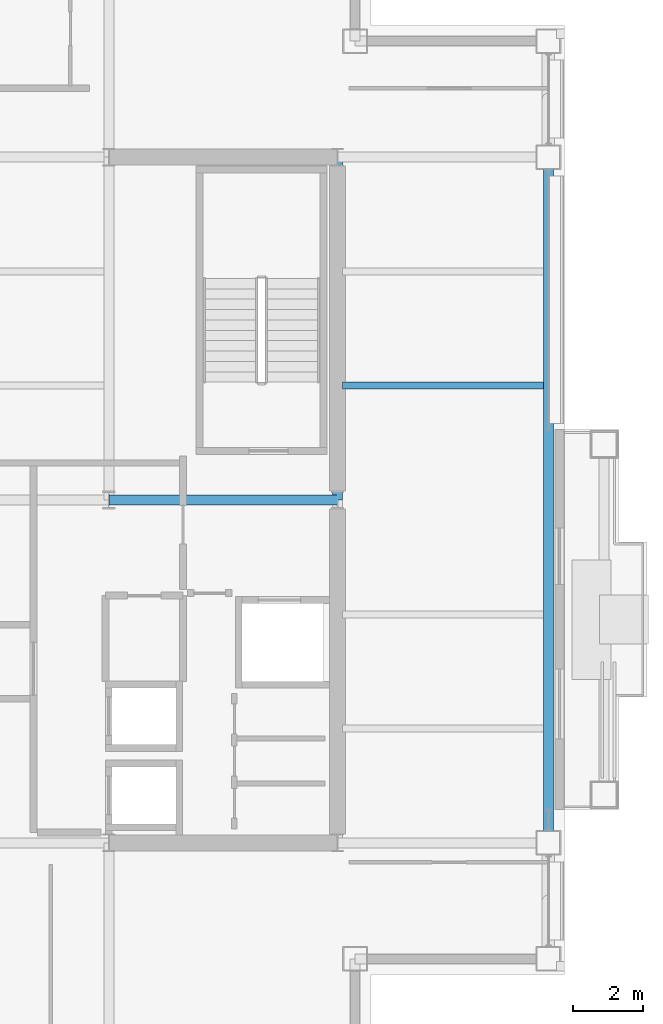
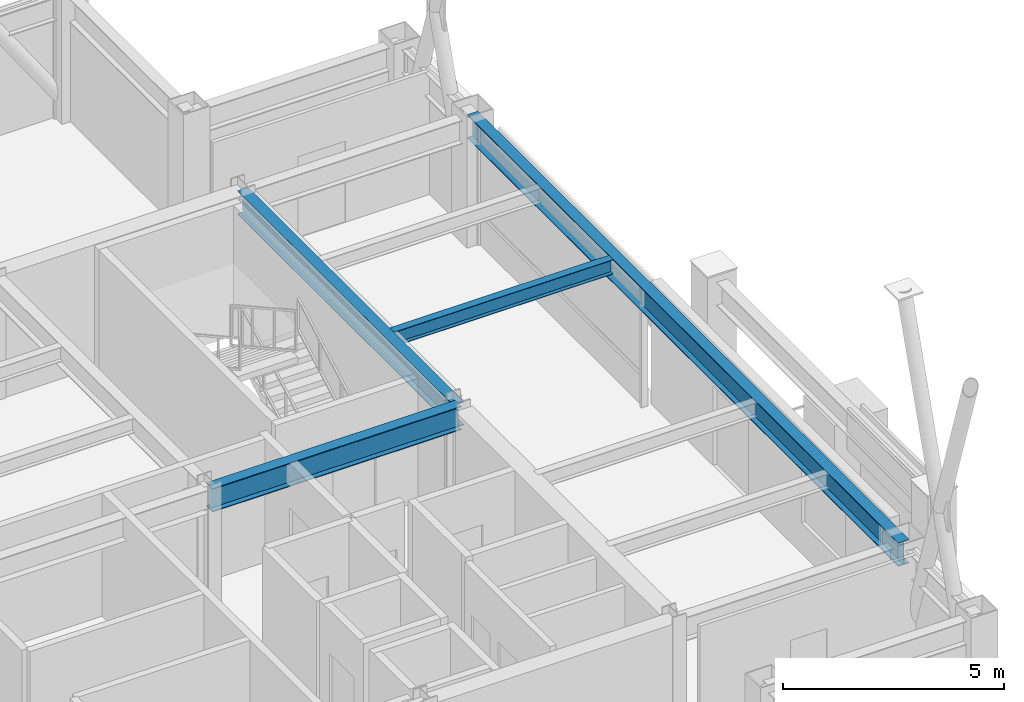
# One storey, part 17 of 33: 4 beams.
"""IFC4 building model written with IfcOpenShell, lengths in metres."""

from ifc_helpers import new_model, si_unit, direction, frame, origin, origin_2d, place, context, subcontext, project, spatial, i_section, extrude, material, material_profile, profile_set, type_object, element, save


model = new_model("IFC4")

# Units and contexts
model_context = context("Model", 3, precision=1e-05, world=origin(), true_north=direction((0.0, 1.0)))
body_context = subcontext(model_context, "Body", "Model", "MODEL_VIEW")
ifc_project = project(units=[si_unit("LENGTHUNIT", "METRE"), si_unit("AREAUNIT", "SQUARE_METRE"), si_unit("VOLUMEUNIT", "CUBIC_METRE"), si_unit("PLANEANGLEUNIT", "RADIAN"), si_unit("MASSUNIT", "GRAM", prefix="KILO")], contexts=[model_context])

# Site, building, storey
site_placement = place(None, origin())
site = spatial("IfcSite", under=ifc_project, at=site_placement, CompositionType="ELEMENT")
building_placement = place(site_placement, origin())
building = spatial("IfcBuilding", under=site, at=building_placement, Name="Brelmoor Portico Tower", CompositionType="ELEMENT")
storey_placement = place(building_placement, frame((0.0, 0.0, 183.89990234375)))
storey = spatial("IfcBuildingStorey", under=building, at=storey_placement, Name="L48", CompositionType="ELEMENT", Elevation=183.89990234375)

# Beams
ifc_material = material(Name="Steel Q355B", Category="steel")
ifc_material_profile_1 = material_profile(ifc_material, i_section(OverallWidth=0.199951171875, OverallDepth=0.39990234375, WebThickness=0.008056640625, FlangeThickness=0.012939453125, at=origin_2d()), Name="HN 400x200x8x13")
ifc_profile_set_1 = profile_set([ifc_material_profile_1], Name="Steel Q355B")
beam_type_1 = type_object("IfcBeamType", Name="BM-JS-400", PredefinedType="JOIST", material=ifc_profile_set_1)
beam_1_placement = place(storey_placement, frame((14.68994140625, 3.25, 3.2001953125), z_axis=(1.0, 0.0, 0.0), x_axis=(0.0, 1.0, 0.0)))
element("IfcBeam", 1, at=beam_1_placement, inside=storey, type_object=beam_type_1, Name="L48 Secondary Wing Joist JS-E11", PredefinedType="JOIST", context=body_context, shape_type="SweptSolid", body=[
    extrude(i_section(OverallWidth=0.199951171875, OverallDepth=0.39990234375, WebThickness=0.008056640625, FlangeThickness=0.012939453125, at=origin_2d()), origin(), (0.0, 0.0, 1.0), 5.719970703125),
])
ifc_material_profile_2 = material_profile(ifc_material, i_section(OverallWidth=0.280029296875, OverallDepth=0.64990234375, WebThickness=0.012939453125, FlangeThickness=0.02197265625, at=origin_2d()), Name="HN 650x280x13x22")
ifc_profile_set_2 = profile_set([ifc_material_profile_2], Name="Steel Q355B")
beam_type_2 = type_object("IfcBeamType", Name="BM-PG-650", PredefinedType="BEAM", material=ifc_profile_set_2)
beam_2_placement = place(storey_placement, frame((14.550048828125, 0.0, 3.0751953125), z_axis=(0.0, 1.0, 0.0), x_axis=(-1.0, 0.0, 0.0)))
element("IfcBeam", 2, at=beam_2_placement, inside=storey, type_object=beam_type_2, Name="L48 Primary Floor Girder PG-10", PredefinedType="BEAM", context=body_context, shape_type="SweptSolid", body=[
    extrude(i_section(OverallWidth=0.280029296875, OverallDepth=0.64990234375, WebThickness=0.012939453125, FlangeThickness=0.02197265625, at=origin_2d()), origin(), (0.0, 0.0, 1.0), 9.75),
])
beam_3_placement = place(storey_placement, frame((8.050048828125, 0.0, 3.0751953125), z_axis=(1.0, 0.0, 0.0), x_axis=(0.0, 1.0, 0.0)))
element("IfcBeam", 3, at=beam_3_placement, inside=storey, type_object=beam_type_2, Name="L48 Primary Floor Girder PG-18", PredefinedType="BEAM", context=body_context, shape_type="SweptSolid", body=[
    extrude(i_section(OverallWidth=0.280029296875, OverallDepth=0.64990234375, WebThickness=0.012939453125, FlangeThickness=0.02197265625, at=origin_2d()), origin(), (0.0, 0.0, 1.0), 6.5),
])
ifc_material_profile_3 = material_profile(ifc_material, i_section(OverallWidth=0.280029296875, OverallDepth=0.64990234375, WebThickness=0.012939453125, FlangeThickness=0.02197265625, at=origin_2d()), Name="HN 650x280x13x22")
ifc_profile_set_3 = profile_set([ifc_material_profile_3], Name="Steel Q355B")
beam_type_3 = type_object("IfcBeamType", Name="BM-SP-650", PredefinedType="SPANDREL", material=ifc_profile_set_3)
beam_4_placement = place(storey_placement, frame((20.550048828125, -9.75, 3.0751953125), z_axis=(0.0, 1.0, 0.0), x_axis=(-1.0, 0.0, 0.0)))
element("IfcBeam", 4, at=beam_4_placement, inside=storey, type_object=beam_type_3, Name="L48 Perimeter Spandrel Beam SP-19", PredefinedType="SPANDREL", context=body_context, shape_type="SweptSolid", body=[
    extrude(i_section(OverallWidth=0.280029296875, OverallDepth=0.64990234375, WebThickness=0.012939453125, FlangeThickness=0.02197265625, at=origin_2d()), origin(), (0.0, 0.0, 1.0), 19.5),
])

save(model, "model.ifc")
